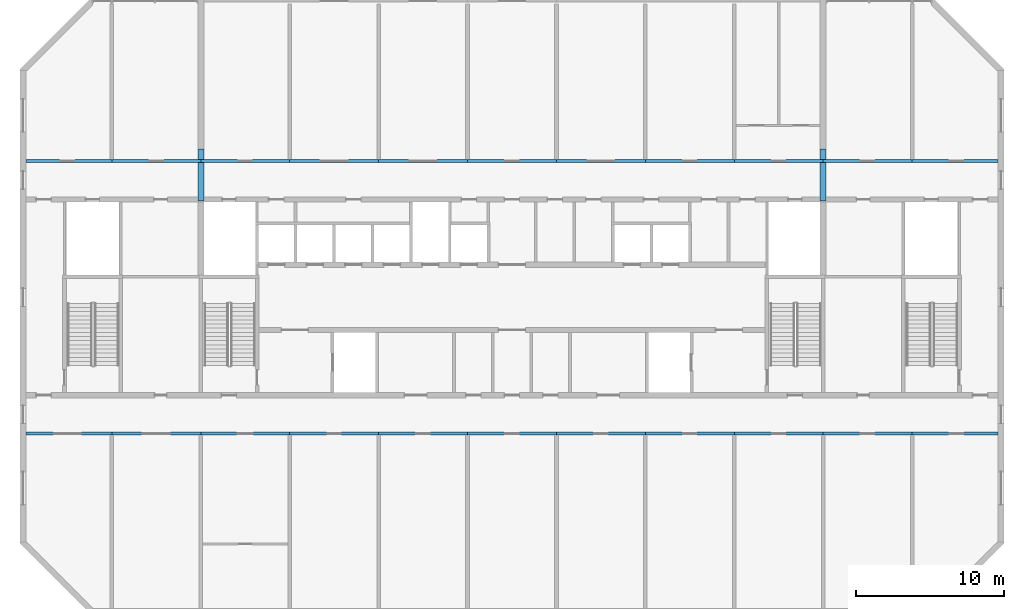
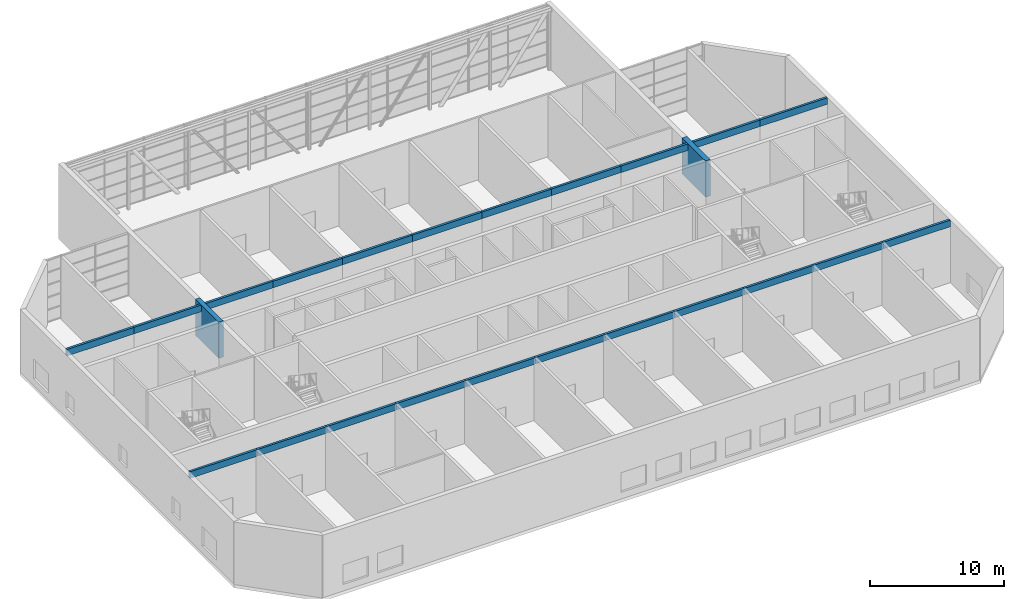
# One storey, part 1 of 17: 24 beams.
"""IFC4 building model written with IfcOpenShell, lengths in metres."""

from ifc_helpers import new_model, si_unit, direction, frame, origin, origin_2d, place, context, subcontext, project, spatial, rectangle, extrude, source, transform, mapped, material, material_profile, profile_set, type_object, element, save


model = new_model("IFC4")

# Units and contexts
model_context = context("Model", 3, precision=1e-05, world=origin(), true_north=direction((0.0, 1.0)))
body_context = subcontext(model_context, "Body", "Model", "MODEL_VIEW")
ifc_project = project(units=[si_unit("LENGTHUNIT", "METRE"), si_unit("AREAUNIT", "SQUARE_METRE"), si_unit("VOLUMEUNIT", "CUBIC_METRE"), si_unit("PLANEANGLEUNIT", "RADIAN"), si_unit("MASSUNIT", "GRAM", prefix="KILO")], contexts=[model_context])

# Site, building, storey
site_placement = place(None, origin())
site = spatial("IfcSite", under=ifc_project, at=site_placement, CompositionType="ELEMENT")
building_placement = place(site_placement, origin())
building = spatial("IfcBuilding", under=site, at=building_placement, Name="Poui Terraces", CompositionType="ELEMENT")
storey_placement = place(building_placement, frame((0.0, 0.0, 261.0)))
storey = spatial("IfcBuildingStorey", under=building, at=storey_placement, Name="L73", CompositionType="ELEMENT", Elevation=261.0)

# Beams
ifc_material = material(Name="Concrete 50 MPa", Category="concrete")
ifc_material_profile_1 = material_profile(ifc_material, rectangle(XDim=0.199951171875, YDim=0.60009765625, at=origin_2d()), Name="RC 200x600")
ifc_profile_set_1 = profile_set([ifc_material_profile_1], Name="Concrete 50 MPa")
beam_type_1 = type_object("IfcBeamType", Name="COUPLING BEAM 200x600 50MPa", PredefinedType="BEAM", material=ifc_profile_set_1)
shared_shape_1 = source(origin(), body_context, "Body", "SweptSolid", [
    extrude(rectangle(XDim=0.199951171875, YDim=0.60009765625, at=origin_2d()), origin(), (0.0, 0.0, 1.0), 5.800048828125),
])
for number, where, z_axis, x_axis, name in (
    (1, (18.199951171875, 12.0, 5.39990234375), (1.0, 0.0, 0.0), (0.0, 1.0, 0.0), "COUPLING BEAM LINE B BAY 1"),
    (2, (78.0, 12.0, 5.39990234375), (1.0, 0.0, 0.0), (0.0, 1.0, 0.0), "COUPLING BEAM LINE B BAY 11"),
    (3, (18.199951171875, 30.39990234375, 5.39990234375), (1.0, 0.0, 0.0), (0.0, 1.0, 0.0), "COUPLING BEAM LINE E BAY 1"),
    (4, (78.0, 30.39990234375, 5.39990234375), (1.0, 0.0, 0.0), (0.0, 1.0, 0.0), "COUPLING BEAM LINE E BAY 11"),
):
    element("IfcBeam", number, at=place(storey_placement, frame(where, z_axis=z_axis, x_axis=x_axis)), inside=storey, type_object=beam_type_1, Name=name, PredefinedType="BEAM", context=body_context, shape_type="MappedRepresentation", body=[
        mapped(shared_shape_1, transform((0.0, 0.0, 0.0))),
    ])
shared_shape_2 = source(origin(), body_context, "Body", "SweptSolid", [
    extrude(rectangle(XDim=0.199951171875, YDim=0.60009765625, at=origin_2d()), origin(), (0.0, 0.0, 1.0), 6.0),
])
for number, where, z_axis, x_axis, name in (
    (5, (24.0, 12.0, 5.39990234375), (1.0, 0.0, 0.0), (0.0, 1.0, 0.0), "COUPLING BEAM LINE B BAY 2"),
    (6, (30.0, 12.0, 5.39990234375), (1.0, 0.0, 0.0), (0.0, 1.0, 0.0), "COUPLING BEAM LINE B BAY 3"),
    (7, (36.0, 12.0, 5.39990234375), (1.0, 0.0, 0.0), (0.0, 1.0, 0.0), "COUPLING BEAM LINE B BAY 4"),
    (8, (42.0, 12.0, 5.39990234375), (1.0, 0.0, 0.0), (0.0, 1.0, 0.0), "COUPLING BEAM LINE B BAY 5"),
    (9, (48.0, 12.0, 5.39990234375), (1.0, 0.0, 0.0), (0.0, 1.0, 0.0), "COUPLING BEAM LINE B BAY 6"),
    (10, (54.0, 12.0, 5.39990234375), (1.0, 0.0, 0.0), (0.0, 1.0, 0.0), "COUPLING BEAM LINE B BAY 7"),
    (11, (60.0, 12.0, 5.39990234375), (1.0, 0.0, 0.0), (0.0, 1.0, 0.0), "COUPLING BEAM LINE B BAY 8"),
    (12, (66.0, 12.0, 5.39990234375), (1.0, 0.0, 0.0), (0.0, 1.0, 0.0), "COUPLING BEAM LINE B BAY 9"),
    (13, (72.0, 12.0, 5.39990234375), (1.0, 0.0, 0.0), (0.0, 1.0, 0.0), "COUPLING BEAM LINE B BAY 10"),
    (14, (24.0, 30.39990234375, 5.39990234375), (1.0, 0.0, 0.0), (0.0, 1.0, 0.0), "COUPLING BEAM LINE E BAY 2"),
    (15, (30.0, 30.39990234375, 5.39990234375), (1.0, 0.0, 0.0), (0.0, 1.0, 0.0), "COUPLING BEAM LINE E BAY 3"),
    (16, (36.0, 30.39990234375, 5.39990234375), (1.0, 0.0, 0.0), (0.0, 1.0, 0.0), "COUPLING BEAM LINE E BAY 4"),
    (17, (42.0, 30.39990234375, 5.39990234375), (1.0, 0.0, 0.0), (0.0, 1.0, 0.0), "COUPLING BEAM LINE E BAY 5"),
    (18, (48.0, 30.39990234375, 5.39990234375), (1.0, 0.0, 0.0), (0.0, 1.0, 0.0), "COUPLING BEAM LINE E BAY 6"),
    (19, (54.0, 30.39990234375, 5.39990234375), (1.0, 0.0, 0.0), (0.0, 1.0, 0.0), "COUPLING BEAM LINE E BAY 7"),
    (20, (60.0, 30.39990234375, 5.39990234375), (1.0, 0.0, 0.0), (0.0, 1.0, 0.0), "COUPLING BEAM LINE E BAY 8"),
    (21, (66.0, 30.39990234375, 5.39990234375), (1.0, 0.0, 0.0), (0.0, 1.0, 0.0), "COUPLING BEAM LINE E BAY 9"),
    (22, (72.0, 30.39990234375, 5.39990234375), (1.0, 0.0, 0.0), (0.0, 1.0, 0.0), "COUPLING BEAM LINE E BAY 10"),
):
    element("IfcBeam", number, at=place(storey_placement, frame(where, z_axis=z_axis, x_axis=x_axis)), inside=storey, type_object=beam_type_1, Name=name, PredefinedType="BEAM", context=body_context, shape_type="MappedRepresentation", body=[
        mapped(shared_shape_2, transform((0.0, 0.0, 0.0))),
    ])
ifc_material_profile_2 = material_profile(ifc_material, rectangle(XDim=0.39990234375, YDim=3.300048828125, at=origin_2d()), Name="RC 400x3300")
ifc_profile_set_2 = profile_set([ifc_material_profile_2], Name="Concrete 50 MPa")
beam_type_2 = type_object("IfcBeamType", Name="LINTEL BEAM 400x3300 50MPa", PredefinedType="BEAM", material=ifc_profile_set_2)
shared_shape_3 = source(origin(), body_context, "Body", "SweptSolid", [
    extrude(rectangle(XDim=0.39990234375, YDim=3.300048828125, at=origin_2d()), origin(), (0.0, 0.0, 1.0), 3.5),
])
for number, where, z_axis, x_axis, name in (
    (23, (30.0, 27.699951171875, 4.050048828125), (0.0, 1.0, 0.0), (-1.0, 0.0, 0.0), "LINTEL BEAM WEST"),
    (24, (72.0, 27.699951171875, 4.050048828125), (0.0, 1.0, 0.0), (-1.0, 0.0, 0.0), "LINTEL BEAM EAST"),
):
    element("IfcBeam", number, at=place(storey_placement, frame(where, z_axis=z_axis, x_axis=x_axis)), inside=storey, type_object=beam_type_2, Name=name, PredefinedType="BEAM", context=body_context, shape_type="MappedRepresentation", body=[
        mapped(shared_shape_3, transform((0.0, 0.0, 0.0))),
    ])

save(model, "model.ifc")
